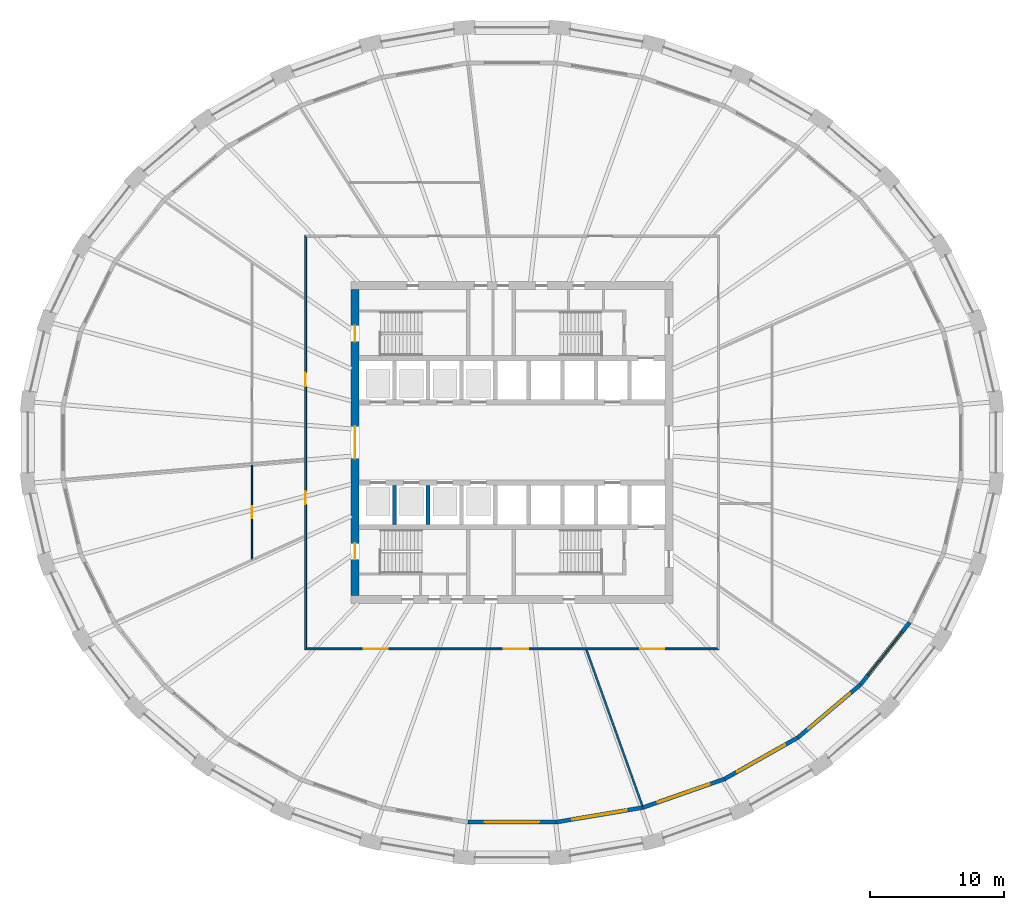
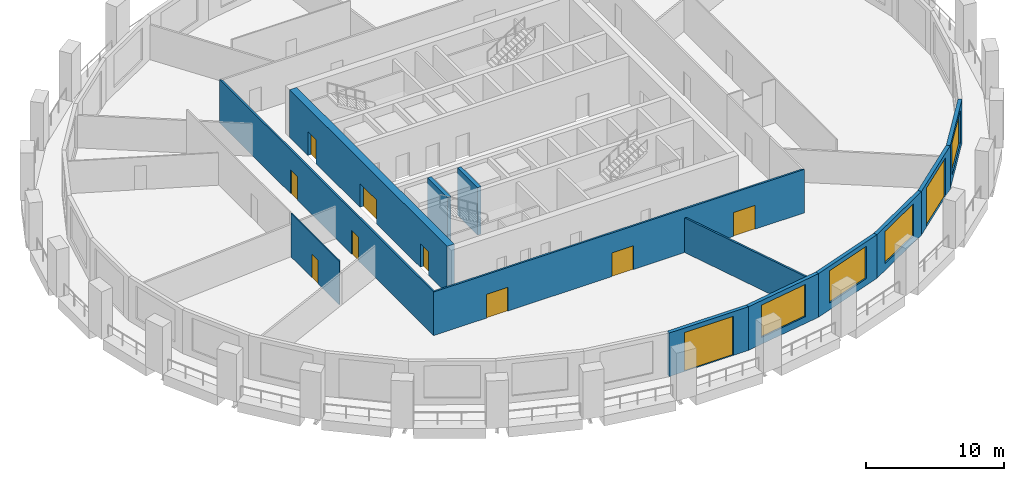
# One storey, part 3 of 10: 13 walls, 11 doors, 4 windows, 15 openings.
"""IFC4 building model written with IfcOpenShell, lengths in metres."""

from ifc_helpers import new_model, si_unit, direction, frame, frame_2d, origin, place, context, subcontext, project, spatial, polyline, rectangle, outline, extrude, material, layer, layer_set, type_object, element, fill, save


model = new_model("IFC4")

# Units and contexts
model_context = context("Model", 3, precision=1e-05, world=origin(), true_north=direction((0.0, 1.0)))
body_context = subcontext(model_context, "Body", "Model", "MODEL_VIEW")
ifc_project = project(units=[si_unit("LENGTHUNIT", "METRE"), si_unit("AREAUNIT", "SQUARE_METRE"), si_unit("VOLUMEUNIT", "CUBIC_METRE"), si_unit("PLANEANGLEUNIT", "RADIAN"), si_unit("MASSUNIT", "GRAM", prefix="KILO")], contexts=[model_context])

# Site, building, storey
site_placement = place(None, origin())
site = spatial("IfcSite", under=ifc_project, at=site_placement, CompositionType="ELEMENT")
building_placement = place(site_placement, origin())
building = spatial("IfcBuilding", under=site, at=building_placement, Name="Halqa Exchange Tower", CompositionType="ELEMENT")
storey_placement = place(building_placement, frame((0.0, 0.0, 94.89990234375)))
storey = spatial("IfcBuildingStorey", under=building, at=storey_placement, Name="L21", CompositionType="ELEMENT", Elevation=94.89990234375)

# Wall, openings, doors
ifc_material_1 = material(Name="Fire-rated gypsum board")
ifc_layer_1 = layer(ifc_material_1, 0.14990234375)
ifc_layer_set_1 = layer_set([ifc_layer_1], Name="Fire-rated gypsum board")
wall_type_1 = type_object("IfcWallType", Name="Fire partition EI 60 150", PredefinedType="PARTITIONING", material=ifc_layer_set_1)
wall_1_placement = place(storey_placement, frame((-15.39990234375, -15.47509765625, 0.0), z_axis=(0.0, 0.0, 1.0), x_axis=(0.0, 1.0, 0.0)))
wall_1 = element("IfcWall", 1, at=wall_1_placement, inside=storey, type_object=wall_type_1, Name="L21-PWL-009", PredefinedType="PARTITIONING", context=body_context, shape_type="SweptSolid", body=[
    extrude(outline(polyline([(0.150146484375, -0.074951171875), (2.065673828125, -0.074951171875), (3.9814453125, -0.074951171875), (5.89697265625, -0.074951171875), (7.8125, -0.074951171875), (9.728271484375, -0.074951171875), (11.643798828125, -0.074951171875), (13.5595703125, -0.074951171875), (15.47509765625, -0.074951171875), (17.390625, -0.074951171875), (19.306396484375, -0.074951171875), (21.221923828125, -0.074951171875), (23.1376953125, -0.074951171875), (25.05322265625, -0.074951171875), (26.96875, -0.074951171875), (28.884521484375, -0.074951171875), (30.800048828125, -0.074951171875), (30.949951171875, 0.074951171875), (29.015625, 0.074951171875), (27.081298828125, 0.074951171875), (25.14697265625, 0.074951171875), (23.21240234375, 0.074951171875), (21.278076171875, 0.074951171875), (19.34375, 0.074951171875), (17.409423828125, 0.074951171875), (15.47509765625, 0.074951171875), (13.540771484375, 0.074951171875), (11.6064453125, 0.074951171875), (9.672119140625, 0.074951171875), (7.73779296875, 0.074951171875), (5.80322265625, 0.074951171875), (3.868896484375, 0.074951171875), (1.9345703125, 0.074951171875), (0.000244140625, 0.074951171875), (0.150146484375, -0.074951171875)])), origin(), (0.0, 0.0, 1.0), 3.85009765625),
])
opening_1_placement = place(wall_1_placement, frame((19.675048828125, 0.0, 0.0)))
opening_1 = element("IfcOpeningElement", 2, at=opening_1_placement, cuts=wall_1, Name="Opening 06-07", PredefinedType="OPENING", context=body_context, shape_type="SweptSolid", body=[
    extrude(rectangle(XDim=1.0, YDim=2.10009765625, at=frame_2d((0.5, 1.050048828125))), frame((0.0, 0.0869140625, 0.0), z_axis=(0.0, -1.0, 0.0), x_axis=(1.0, 0.0, 0.0)), (0.0, 0.0, 1.0), 0.173828125),
])
opening_2_placement = place(wall_1_placement, frame((10.85498046875, 0.0, 0.0)))
opening_2 = element("IfcOpeningElement", 3, at=opening_2_placement, cuts=wall_1, Name="Opening 06-08", PredefinedType="OPENING", context=body_context, shape_type="SweptSolid", body=[
    extrude(rectangle(XDim=1.0, YDim=2.10009765625, at=frame_2d((0.5, 1.050048828125))), frame((0.0, 0.0869140625, 0.0), z_axis=(0.0, -1.0, 0.0), x_axis=(1.0, 0.0, 0.0)), (0.0, 0.0, 1.0), 0.173828125),
])
ifc_material_2 = material(Name="Steel fire door leaf", Category="steel")
door_type_1 = type_object("IfcDoorType", Name="Fire door FD30S 1000 x 2100", OperationType="SINGLE_SWING_LEFT", PredefinedType="DOOR", material=ifc_material_2)
door_1_placement = place(opening_1_placement, origin())
door_1 = element("IfcDoor", 4, at=door_1_placement, inside=storey, type_object=door_type_1, Name="L21-IDR-007", OperationType="SINGLE_SWING_LEFT", OverallHeight=2.10009765625, OverallWidth=1.0, PredefinedType="DOOR", context=body_context, shape_type="SweptSolid", body=[
    extrude(rectangle(XDim=1.0, YDim=2.10009765625, at=frame_2d((0.5, 1.050048828125))), frame((0.0, 0.02490234375, 0.0), z_axis=(0.0, -1.0, 0.0), x_axis=(1.0, 0.0, 0.0)), (0.0, 0.0, 1.0), 0.050048828125),
])
fill(opening_1, door_1)
door_2_placement = place(opening_2_placement, origin())
door_2 = element("IfcDoor", 5, at=door_2_placement, inside=storey, type_object=door_type_1, Name="L21-IDR-008", OperationType="SINGLE_SWING_RIGHT", OverallHeight=2.10009765625, OverallWidth=1.0, PredefinedType="DOOR", context=body_context, shape_type="SweptSolid", body=[
    extrude(rectangle(XDim=1.0, YDim=2.10009765625, at=frame_2d((0.5, 1.050048828125))), frame((0.0, 0.02490234375, 0.0), z_axis=(0.0, -1.0, 0.0), x_axis=(1.0, 0.0, 0.0)), (0.0, 0.0, 1.0), 0.050048828125),
])
fill(opening_2, door_2)

wall_2_placement = place(storey_placement, frame((-15.47509765625, -15.39990234375, 0.0), z_axis=(0.0, 0.0, 1.0), x_axis=(1.0, 0.0, 0.0)))
wall_2 = element("IfcWall", 6, at=wall_2_placement, inside=storey, type_object=wall_type_1, Name="L21-PWL-010", PredefinedType="PARTITIONING", context=body_context, shape_type="SweptSolid", body=[
    extrude(outline(polyline([(0.000244140625, -0.074951171875), (1.9345703125, -0.074951171875), (3.868896484375, -0.074951171875), (5.80322265625, -0.074951171875), (7.73779296875, -0.074951171875), (9.672119140625, -0.074951171875), (11.6064453125, -0.074951171875), (13.540771484375, -0.074951171875), (15.47509765625, -0.074951171875), (17.409423828125, -0.074951171875), (19.34375, -0.074951171875), (21.278076171875, -0.074951171875), (23.21240234375, -0.074951171875), (25.14697265625, -0.074951171875), (27.081298828125, -0.074951171875), (29.015625, -0.074951171875), (30.949951171875, -0.074951171875), (30.800048828125, 0.074951171875), (28.884521484375, 0.074951171875), (26.96875, 0.074951171875), (25.05322265625, 0.074951171875), (23.1376953125, 0.074951171875), (21.221923828125, 0.074951171875), (19.306396484375, 0.074951171875), (17.390625, 0.074951171875), (15.47509765625, 0.074951171875), (13.5595703125, 0.074951171875), (11.643798828125, 0.074951171875), (9.728271484375, 0.074951171875), (7.8125, 0.074951171875), (5.89697265625, 0.074951171875), (3.9814453125, 0.074951171875), (2.065673828125, 0.074951171875), (0.150146484375, 0.074951171875), (0.000244140625, -0.074951171875)])), origin(), (0.0, 0.0, 1.0), 3.85009765625),
])
opening_3_placement = place(wall_2_placement, frame((4.407470703125, 0.0, 0.0)))
opening_3 = element("IfcOpeningElement", 7, at=opening_3_placement, cuts=wall_2, Name="Opening 06-09", PredefinedType="OPENING", context=body_context, shape_type="SweptSolid", body=[
    extrude(rectangle(XDim=1.800048828125, YDim=2.10009765625, at=frame_2d((0.89990234375, 1.050048828125))), frame((0.0, 0.0869140625, 0.0), z_axis=(0.0, -1.0, 0.0), x_axis=(1.0, 0.0, 0.0)), (0.0, 0.0, 1.0), 0.173828125),
])
opening_4_placement = place(wall_2_placement, frame((14.87255859375, 0.0, 0.0)))
opening_4 = element("IfcOpeningElement", 8, at=opening_4_placement, cuts=wall_2, Name="Opening 06-10", PredefinedType="OPENING", context=body_context, shape_type="SweptSolid", body=[
    extrude(rectangle(XDim=1.800048828125, YDim=2.10009765625, at=frame_2d((0.89990234375, 1.050048828125))), frame((0.0, 0.0869140625, 0.0), z_axis=(0.0, -1.0, 0.0), x_axis=(1.0, 0.0, 0.0)), (0.0, 0.0, 1.0), 0.173828125),
])
opening_5_placement = place(wall_2_placement, frame((25.0400390625, 0.0, 0.0)))
opening_5 = element("IfcOpeningElement", 9, at=opening_5_placement, cuts=wall_2, Name="Opening 06-11", PredefinedType="OPENING", context=body_context, shape_type="SweptSolid", body=[
    extrude(rectangle(XDim=1.800048828125, YDim=2.10009765625, at=frame_2d((0.89990234375, 1.050048828125))), frame((0.0, 0.0869140625, 0.0), z_axis=(0.0, -1.0, 0.0), x_axis=(1.0, 0.0, 0.0)), (0.0, 0.0, 1.0), 0.173828125),
])
door_type_2 = type_object("IfcDoorType", Name="Fire door FD30S double 1800 x 2100", OperationType="DOUBLE_DOOR_SINGLE_SWING", PredefinedType="DOOR", material=ifc_material_2)
door_3_placement = place(opening_3_placement, frame((1.800048828125, 0.0, 0.0), z_axis=(0.0, 0.0, 1.0), x_axis=(-1.0, 0.0, 0.0)))
door_3 = element("IfcDoor", 10, at=door_3_placement, inside=storey, type_object=door_type_2, Name="L21-IDR-009", OperationType="DOUBLE_DOOR_SINGLE_SWING", OverallHeight=2.10009765625, OverallWidth=1.800048828125, PredefinedType="DOOR", context=body_context, shape_type="SweptSolid", body=[
    extrude(rectangle(XDim=1.800048828125, YDim=2.10009765625, at=frame_2d((0.89990234375, 1.050048828125))), frame((0.0, 0.02490234375, 0.0), z_axis=(0.0, -1.0, 0.0), x_axis=(1.0, 0.0, 0.0)), (0.0, 0.0, 1.0), 0.050048828125),
])
fill(opening_3, door_3)
door_4_placement = place(opening_4_placement, frame((1.800048828125, 0.0, 0.0), z_axis=(0.0, 0.0, 1.0), x_axis=(-1.0, 0.0, 0.0)))
door_4 = element("IfcDoor", 11, at=door_4_placement, inside=storey, type_object=door_type_2, Name="L21-IDR-010", OperationType="DOUBLE_DOOR_SINGLE_SWING", OverallHeight=2.10009765625, OverallWidth=1.800048828125, PredefinedType="DOOR", context=body_context, shape_type="SweptSolid", body=[
    extrude(rectangle(XDim=1.800048828125, YDim=2.10009765625, at=frame_2d((0.89990234375, 1.050048828125))), frame((0.0, 0.02490234375, 0.0), z_axis=(0.0, -1.0, 0.0), x_axis=(1.0, 0.0, 0.0)), (0.0, 0.0, 1.0), 0.050048828125),
])
fill(opening_4, door_4)
door_5_placement = place(opening_5_placement, frame((1.800048828125, 0.0, 0.0), z_axis=(0.0, 0.0, 1.0), x_axis=(-1.0, 0.0, 0.0)))
door_5 = element("IfcDoor", 12, at=door_5_placement, inside=storey, type_object=door_type_2, Name="L21-IDR-011", OperationType="DOUBLE_DOOR_SINGLE_SWING", OverallHeight=2.10009765625, OverallWidth=1.800048828125, PredefinedType="DOOR", context=body_context, shape_type="SweptSolid", body=[
    extrude(rectangle(XDim=1.800048828125, YDim=2.10009765625, at=frame_2d((0.89990234375, 1.050048828125))), frame((0.0, 0.02490234375, 0.0), z_axis=(0.0, -1.0, 0.0), x_axis=(1.0, 0.0, 0.0)), (0.0, 0.0, 1.0), 0.050048828125),
])
fill(opening_5, door_5)

# Wall
wall_3_placement = place(storey_placement, frame((5.5478515625, -15.449951171875, 0.0), z_axis=(0.0, 0.0, 1.0), x_axis=(0.337393279859, -0.941363784467, 0.0)))
element("IfcWall", 13, at=wall_3_placement, inside=storey, type_object=wall_type_1, Name="L21-PWL-014", PredefinedType="PARTITIONING", context=body_context, shape_type="SweptSolid", body=[
    extrude(outline(polyline([(0.0, -0.074951171875), (1.76416015625, -0.074951171875), (3.528076171875, -0.074951171875), (5.292236328125, -0.074951171875), (7.05615234375, -0.074951171875), (8.8203125, -0.074951171875), (10.584228515625, -0.074951171875), (12.348388671875, -0.074951171875), (12.3623046875, 0.0029296875), (12.36279296875, 0.056640625), (12.36279296875, 0.074951171875), (10.604248046875, 0.074951171875), (8.845947265625, 0.074951171875), (7.08740234375, 0.074951171875), (5.328857421875, 0.074951171875), (3.5703125, 0.074951171875), (1.81201171875, 0.074951171875), (0.053466796875, 0.074951171875), (0.0, -0.07421875), (0.0, -0.074951171875)])), origin(), (0.0, 0.0, 1.0), 3.06005859375),
])

# Wall, opening, door
ifc_material_3 = material(Name="Gypsum board")
ifc_layer_2 = layer(ifc_material_3, 0.10009765625)
ifc_layer_set_2 = layer_set([ifc_layer_2], Name="Gypsum board")
wall_type_2 = type_object("IfcWallType", Name="Partition 100 gypsum", PredefinedType="PARTITIONING", material=ifc_layer_set_2)
wall_4_placement = place(storey_placement, frame((-19.39990234375, -8.7099609375, 0.0), z_axis=(0.0, 0.0, 1.0), x_axis=(0.0, 1.0, 0.0)))
wall_4 = element("IfcWall", 14, at=wall_4_placement, inside=storey, type_object=wall_type_2, Name="L21-PWL-005", PredefinedType="PARTITIONING", context=body_context, shape_type="SweptSolid", body=[
    extrude(outline(polyline([(0.04052734375, -0.050048828125), (0.041259765625, -0.050048828125), (0.04443359375, -0.048583984375), (0.044921875, -0.050048828125), (1.7900390625, -0.050048828125), (3.534912109375, -0.050048828125), (5.280029296875, -0.050048828125), (7.02490234375, -0.050048828125), (7.02490234375, -0.0439453125), (7.01708984375, 0.050048828125), (5.2626953125, 0.050048828125), (3.508544921875, 0.050048828125), (1.754150390625, 0.050048828125), (0.0, 0.050048828125), (0.0, 0.04931640625), (0.044189453125, -0.04833984375), (0.04052734375, -0.050048828125)])), origin(), (0.0, 0.0, 1.0), 3.85009765625),
])
opening_6_placement = place(wall_4_placement, frame((3.074951171875, 0.0, 0.0)))
opening_6 = element("IfcOpeningElement", 15, at=opening_6_placement, cuts=wall_4, Name="Opening 06-16", PredefinedType="OPENING", context=body_context, shape_type="SweptSolid", body=[
    extrude(rectangle(XDim=0.89990234375, YDim=2.10009765625, at=frame_2d((0.449951171875, 1.050048828125))), frame((0.0, 0.06201171875, 0.0), z_axis=(0.0, -1.0, 0.0), x_axis=(1.0, 0.0, 0.0)), (0.0, 0.0, 1.0), 0.1240234375),
])
ifc_material_4 = material(Name="Timber door leaf", Category="wood")
door_type_3 = type_object("IfcDoorType", Name="Door 900 x 2100", OperationType="SINGLE_SWING_LEFT", PredefinedType="DOOR", material=ifc_material_4)
door_6_placement = place(opening_6_placement, frame((0.89990234375, 0.0, 0.0), z_axis=(0.0, 0.0, 1.0), x_axis=(-1.0, 0.0, 0.0)))
door_6 = element("IfcDoor", 16, at=door_6_placement, inside=storey, type_object=door_type_3, Name="L21-IDR-016", OperationType="SINGLE_SWING_LEFT", OverallHeight=2.10009765625, OverallWidth=0.89990234375, PredefinedType="DOOR", context=body_context, shape_type="SweptSolid", body=[
    extrude(rectangle(XDim=0.89990234375, YDim=2.10009765625, at=frame_2d((0.449951171875, 1.050048828125))), frame((0.0, 0.02490234375, 0.0), z_axis=(0.0, -1.0, 0.0), x_axis=(1.0, 0.0, 0.0)), (0.0, 0.0, 1.0), 0.050048828125),
])
fill(opening_6, door_6)

# Walls
ifc_material_5 = material(Name="Concrete C60/75", Category="concrete")
ifc_layer_3 = layer(ifc_material_5, 0.300048828125)
ifc_layer_set_3 = layer_set([ifc_layer_3], Name="Concrete C60/75")
wall_type_3 = type_object("IfcWallType", Name="RC core wall 300", PredefinedType="SHEAR", material=ifc_layer_set_3)
for number, where, z_axis, x_axis, name in (
    (17, (-8.75, -6.10009765625, 0.0), (0.0, 0.0, 1.0), (0.0, 1.0, 0.0), "Shaft divider S1"),
    (18, (-6.25, -6.10009765625, 0.0), (0.0, 0.0, 1.0), (0.0, 1.0, 0.0), "Shaft divider S2"),
):
    element("IfcWall", number, at=place(storey_placement, frame(where, z_axis=z_axis, x_axis=x_axis)), inside=storey, type_object=wall_type_3, Name=name, PredefinedType="SHEAR", context=body_context, shape_type="SweptSolid", body=[
        extrude(rectangle(XDim=2.900146484375, YDim=0.300048828125, at=frame_2d((1.4501953125, 0.0))), origin(), (0.0, 0.0, 1.0), 4.2001953125),
    ])

# Wall, openings, doors
ifc_material_6 = material(Name="Concrete C80/95", Category="concrete")
ifc_layer_4 = layer(ifc_material_6, 0.60009765625)
ifc_layer_set_4 = layer_set([ifc_layer_4], Name="Concrete C80/95")
wall_type_4 = type_object("IfcWallType", Name="RC core wall 600 C80/95", PredefinedType="SHEAR", material=ifc_layer_set_4)
wall_5_placement = place(storey_placement, frame((-11.699951171875, -11.39990234375, 0.0), z_axis=(0.0, 0.0, 1.0), x_axis=(0.0, 1.0, 0.0)))
wall_5 = element("IfcWall", 19, at=wall_5_placement, inside=storey, type_object=wall_type_4, Name="Core wall west", PredefinedType="SHEAR", context=body_context, shape_type="SweptSolid", body=[
    extrude(rectangle(XDim=22.7998046875, YDim=0.60009765625, at=frame_2d((11.39990234375, 0.0))), origin(), (0.0, 0.0, 1.0), 4.2001953125),
])
opening_7_placement = place(wall_5_placement, frame((10.199951171875, 0.0, 0.0)))
opening_7 = element("IfcOpeningElement", 20, at=opening_7_placement, cuts=wall_5, Name="Opening T06-C13", PredefinedType="OPENING", context=body_context, shape_type="SweptSolid", body=[
    extrude(rectangle(XDim=2.39990234375, YDim=2.10009765625, at=frame_2d((1.199951171875, 1.050048828125))), frame((0.0, 0.31201171875, 0.0), z_axis=(0.0, -1.0, 0.0), x_axis=(1.0, 0.0, 0.0)), (0.0, 0.0, 1.0), 0.6240234375),
])
opening_8_placement = place(wall_5_placement, frame((18.925048828125, 0.0, 0.0)))
opening_8 = element("IfcOpeningElement", 21, at=opening_8_placement, cuts=wall_5, Name="Opening T06-C15", PredefinedType="OPENING", context=body_context, shape_type="SweptSolid", body=[
    extrude(rectangle(XDim=1.199951171875, YDim=2.10009765625, at=frame_2d((0.60009765625, 1.050048828125))), frame((0.0, 0.31201171875, 0.0), z_axis=(0.0, -1.0, 0.0), x_axis=(1.0, 0.0, 0.0)), (0.0, 0.0, 1.0), 0.6240234375),
])
opening_9_placement = place(wall_5_placement, frame((2.675048828125, 0.0, 0.0)))
opening_9 = element("IfcOpeningElement", 22, at=opening_9_placement, cuts=wall_5, Name="Opening T06-C17", PredefinedType="OPENING", context=body_context, shape_type="SweptSolid", body=[
    extrude(rectangle(XDim=1.199951171875, YDim=2.10009765625, at=frame_2d((0.60009765625, 1.050048828125))), frame((0.0, 0.31201171875, 0.0), z_axis=(0.0, -1.0, 0.0), x_axis=(1.0, 0.0, 0.0)), (0.0, 0.0, 1.0), 0.6240234375),
])
door_type_4 = type_object("IfcDoorType", Name="Lobby double door FD60 2400 x 2100", OperationType="DOUBLE_DOOR_SINGLE_SWING", PredefinedType="DOOR", material=ifc_material_2)
door_7_placement = place(opening_7_placement, frame((2.39990234375, 0.0, 0.0), z_axis=(0.0, 0.0, 1.0), x_axis=(-1.0, 0.0, 0.0)))
door_7 = element("IfcDoor", 23, at=door_7_placement, inside=storey, type_object=door_type_4, Name="Lift lobby double door", OperationType="DOUBLE_DOOR_SINGLE_SWING", OverallHeight=2.10009765625, OverallWidth=2.39990234375, PredefinedType="DOOR", context=body_context, shape_type="SweptSolid", body=[
    extrude(rectangle(XDim=2.39990234375, YDim=2.10009765625, at=frame_2d((1.199951171875, 1.050048828125))), frame((0.0, 0.02490234375, 0.0), z_axis=(0.0, -1.0, 0.0), x_axis=(1.0, 0.0, 0.0)), (0.0, 0.0, 1.0), 0.050048828125),
])
fill(opening_7, door_7)
door_type_5 = type_object("IfcDoorType", Name="Stair door FD90 1200 x 2100", OperationType="SINGLE_SWING_LEFT", PredefinedType="DOOR", material=ifc_material_2)
door_8_placement = place(opening_8_placement, frame((1.199951171875, 0.0, 0.0), z_axis=(0.0, 0.0, 1.0), x_axis=(-1.0, 0.0, 0.0)))
door_8 = element("IfcDoor", 24, at=door_8_placement, inside=storey, type_object=door_type_5, Name="Stair door ST1", OperationType="SINGLE_SWING_LEFT", OverallHeight=2.10009765625, OverallWidth=1.199951171875, PredefinedType="DOOR", context=body_context, shape_type="SweptSolid", body=[
    extrude(rectangle(XDim=1.199951171875, YDim=2.10009765625, at=frame_2d((0.60009765625, 1.050048828125))), frame((0.0, 0.02490234375, 0.0), z_axis=(0.0, -1.0, 0.0), x_axis=(1.0, 0.0, 0.0)), (0.0, 0.0, 1.0), 0.050048828125),
])
fill(opening_8, door_8)
door_9_placement = place(opening_9_placement, frame((1.199951171875, 0.0, 0.0), z_axis=(0.0, 0.0, 1.0), x_axis=(-1.0, 0.0, 0.0)))
door_9 = element("IfcDoor", 25, at=door_9_placement, inside=storey, type_object=door_type_5, Name="Stair door ST3", OperationType="SINGLE_SWING_LEFT", OverallHeight=2.10009765625, OverallWidth=1.199951171875, PredefinedType="DOOR", context=body_context, shape_type="SweptSolid", body=[
    extrude(rectangle(XDim=1.199951171875, YDim=2.10009765625, at=frame_2d((0.60009765625, 1.050048828125))), frame((0.0, 0.02490234375, 0.0), z_axis=(0.0, -1.0, 0.0), x_axis=(1.0, 0.0, 0.0)), (0.0, 0.0, 1.0), 0.050048828125),
])
fill(opening_9, door_9)

# Wall, opening, door
ifc_material_7 = material(Name="Limestone cladding", Category="masonry")
ifc_layer_5 = layer(ifc_material_7, 0.0400390625)
ifc_material_8 = material(Name="Ventilated cavity")
ifc_layer_6 = layer(ifc_material_8, 0.030029296875, ventilated=True)
ifc_material_9 = material(Name="Mineral wool insulation")
ifc_layer_7 = layer(ifc_material_9, 0.10009765625)
ifc_material_10 = material(Name="Concrete C30/37", Category="concrete")
ifc_layer_8 = layer(ifc_material_10, 0.10009765625)
ifc_material_11 = material(Name="Internal plaster")
ifc_layer_9 = layer(ifc_material_11, 0.030029296875)
ifc_layer_set_5 = layer_set([ifc_layer_5, ifc_layer_6, ifc_layer_7, ifc_layer_8, ifc_layer_9], Name="Stone-faced insulated wall 300")
wall_type_5 = type_object("IfcWallType", Name="Stone-faced insulated wall 300", PredefinedType="STANDARD", material=ifc_layer_set_5)
wall_6_placement = place(storey_placement, frame((-3.294921875, -28.319091796875, 0.0), z_axis=(0.0, 0.0, 1.0), x_axis=(1.0, 0.0, 0.0)))
wall_6 = element("IfcWall", 26, at=wall_6_placement, inside=storey, type_object=wall_type_5, Name="Glass-line wall 24", PredefinedType="STANDARD", context=body_context, shape_type="SweptSolid", body=[
    extrude(outline(polyline([(-0.012451171875, -0.14990234375), (6.602294921875, -0.14990234375), (6.577392578125, 0.14990234375), (0.012451171875, 0.14990234375), (-0.012451171875, -0.14990234375)])), origin(), (0.0, 0.0, 1.0), 3.85009765625),
])
opening_10_placement = place(wall_6_placement, frame((1.2451171875, 0.0, 0.0)))
opening_10 = element("IfcOpeningElement", 27, at=opening_10_placement, cuts=wall_6, Name="Opening LG-F1-06", PredefinedType="OPENING", context=body_context, shape_type="SweptSolid", body=[
    extrude(rectangle(XDim=4.10009765625, YDim=3.449951171875, at=frame_2d((2.050048828125, 1.72509765625))), frame((0.0, 0.162109375, 0.0), z_axis=(0.0, -1.0, 0.0), x_axis=(1.0, 0.0, 0.0)), (0.0, 0.0, 1.0), 0.323974609375),
])
ifc_material_12 = material(Name="Clear low-emissivity glass in aluminium frame", Category="aluminium")
door_type_6 = type_object("IfcDoorType", Name="Glazed sliding loggia door 4100 x 3450", OperationType="DOUBLE_DOOR_SLIDING", PredefinedType="DOOR", material=ifc_material_12)
door_10_placement = place(opening_10_placement, origin())
door_10 = element("IfcDoor", 28, at=door_10_placement, inside=storey, type_object=door_type_6, Name="Loggia door 6", OperationType="DOUBLE_DOOR_SLIDING", OverallHeight=3.449951171875, OverallWidth=4.10009765625, PredefinedType="DOOR", context=body_context, shape_type="SweptSolid", body=[
    extrude(rectangle(XDim=4.10009765625, YDim=3.449951171875, at=frame_2d((2.050048828125, 1.72509765625))), frame((0.0, 0.02490234375, 0.0), z_axis=(0.0, -1.0, 0.0), x_axis=(1.0, 0.0, 0.0)), (0.0, 0.0, 1.0), 0.050048828125),
])
fill(opening_10, door_10)

# Wall, opening, window
wall_7_placement = place(storey_placement, frame((3.294921875, -28.319091796875, 0.0), z_axis=(0.0, 0.0, 1.0), x_axis=(0.986162431544, 0.165781961053, 0.0)))
wall_7 = element("IfcWall", 29, at=wall_7_placement, inside=storey, type_object=wall_type_5, Name="Glass-line wall 25", PredefinedType="STANDARD", context=body_context, shape_type="SweptSolid", body=[
    extrude(outline(polyline([(-0.012451171875, -0.14990234375), (6.567626953125, -0.14990234375), (6.542236328125, 0.14990234375), (0.012451171875, 0.14990234375), (-0.012451171875, -0.14990234375)])), origin(), (0.0, 0.0, 1.0), 3.85009765625),
])
opening_11_placement = place(wall_7_placement, frame((1.227294921875, 0.0, 0.60009765625)))
opening_11 = element("IfcOpeningElement", 30, at=opening_11_placement, cuts=wall_7, Name="Opening W-F1-25", PredefinedType="OPENING", context=body_context, shape_type="SweptSolid", body=[
    extrude(rectangle(XDim=4.10009765625, YDim=2.85009765625, at=frame_2d((2.050048828125, 1.425048828125))), frame((0.0, 0.162109375, 0.0), z_axis=(0.0, -1.0, 0.0), x_axis=(1.0, 0.0, 0.0)), (0.0, 0.0, 1.0), 0.323974609375),
])
window_type = type_object("IfcWindowType", Name="Fixed clear glazed window 4100 x 2850", PartitioningType="TRIPLE_PANEL_VERTICAL", PredefinedType="WINDOW", material=ifc_material_12)
window_1_placement = place(opening_11_placement, origin())
window_1 = element("IfcWindow", 31, at=window_1_placement, inside=storey, type_object=window_type, Name="Window 1", OverallHeight=2.85009765625, OverallWidth=4.10009765625, PartitioningType="TRIPLE_PANEL_VERTICAL", PredefinedType="WINDOW", context=body_context, shape_type="SweptSolid", body=[
    extrude(rectangle(XDim=4.10009765625, YDim=2.85009765625, at=frame_2d((2.050048828125, 1.425048828125))), frame((0.0, 0.030029296875, 0.0), z_axis=(0.0, -1.0, 0.0), x_axis=(1.0, 0.0, 0.0)), (0.0, 0.0, 1.0), 0.06005859375),
])
fill(opening_11, window_1)

wall_8_placement = place(storey_placement, frame((9.759033203125, -27.232421875, 0.0), z_axis=(0.0, 0.0, 1.0), x_axis=(0.943820008365, 0.330459970057, 0.0)))
wall_8 = element("IfcWall", 32, at=wall_8_placement, inside=storey, type_object=wall_type_5, Name="Glass-line wall 26", PredefinedType="STANDARD", context=body_context, shape_type="SweptSolid", body=[
    extrude(outline(polyline([(-0.0126953125, -0.14990234375), (6.466064453125, -0.14990234375), (6.439208984375, 0.14990234375), (0.0126953125, 0.14990234375), (-0.0126953125, -0.14990234375)])), origin(), (0.0, 0.0, 1.0), 3.85009765625),
])
opening_12_placement = place(wall_8_placement, frame((1.17626953125, 0.0, 0.60009765625)))
opening_12 = element("IfcOpeningElement", 33, at=opening_12_placement, cuts=wall_8, Name="Opening W-F1-26", PredefinedType="OPENING", context=body_context, shape_type="SweptSolid", body=[
    extrude(rectangle(XDim=4.10009765625, YDim=2.85009765625, at=frame_2d((2.050048828125, 1.425048828125))), frame((0.0, 0.162109375, 0.0), z_axis=(0.0, -1.0, 0.0), x_axis=(1.0, 0.0, 0.0)), (0.0, 0.0, 1.0), 0.323974609375),
])
window_2_placement = place(opening_12_placement, origin())
window_2 = element("IfcWindow", 34, at=window_2_placement, inside=storey, type_object=window_type, Name="Window 1", OverallHeight=2.85009765625, OverallWidth=4.10009765625, PartitioningType="TRIPLE_PANEL_VERTICAL", PredefinedType="WINDOW", context=body_context, shape_type="SweptSolid", body=[
    extrude(rectangle(XDim=4.10009765625, YDim=2.85009765625, at=frame_2d((2.050048828125, 1.425048828125))), frame((0.0, 0.030029296875, 0.0), z_axis=(0.0, -1.0, 0.0), x_axis=(1.0, 0.0, 0.0)), (0.0, 0.0, 1.0), 0.06005859375),
])
fill(opening_12, window_2)

wall_9_placement = place(storey_placement, frame((15.84912109375, -25.10009765625, 0.0), z_axis=(0.0, 0.0, 1.0), x_axis=(0.870737550302, 0.491748023376, 0.0)))
wall_9 = element("IfcWall", 35, at=wall_9_placement, inside=storey, type_object=wall_type_5, Name="Glass-line wall 27", PredefinedType="STANDARD", context=body_context, shape_type="SweptSolid", body=[
    extrude(outline(polyline([(-0.013427734375, -0.14990234375), (6.310546875, -0.14990234375), (6.2822265625, 0.14990234375), (0.013427734375, 0.14990234375), (-0.013427734375, -0.14990234375)])), origin(), (0.0, 0.0, 1.0), 3.85009765625),
])
opening_13_placement = place(wall_9_placement, frame((1.09814453125, 0.0, 0.60009765625)))
opening_13 = element("IfcOpeningElement", 36, at=opening_13_placement, cuts=wall_9, Name="Opening W-F1-27", PredefinedType="OPENING", context=body_context, shape_type="SweptSolid", body=[
    extrude(rectangle(XDim=4.10009765625, YDim=2.85009765625, at=frame_2d((2.050048828125, 1.425048828125))), frame((0.0, 0.162109375, 0.0), z_axis=(0.0, -1.0, 0.0), x_axis=(1.0, 0.0, 0.0)), (0.0, 0.0, 1.0), 0.323974609375),
])
window_3_placement = place(opening_13_placement, origin())
window_3 = element("IfcWindow", 37, at=window_3_placement, inside=storey, type_object=window_type, Name="Window 1", OverallHeight=2.85009765625, OverallWidth=4.10009765625, PartitioningType="TRIPLE_PANEL_VERTICAL", PredefinedType="WINDOW", context=body_context, shape_type="SweptSolid", body=[
    extrude(rectangle(XDim=4.10009765625, YDim=2.85009765625, at=frame_2d((2.050048828125, 1.425048828125))), frame((0.0, 0.030029296875, 0.0), z_axis=(0.0, -1.0, 0.0), x_axis=(1.0, 0.0, 0.0)), (0.0, 0.0, 1.0), 0.06005859375),
])
fill(opening_13, window_3)

# Wall, opening, door
wall_10_placement = place(storey_placement, frame((21.33154296875, -22.00390625, 0.0), z_axis=(0.0, 0.0, 1.0), x_axis=(0.763753100684, 0.645508482667, 0.0)))
wall_10 = element("IfcWall", 38, at=wall_10_placement, inside=storey, type_object=wall_type_5, Name="Glass-line wall 28", PredefinedType="STANDARD", context=body_context, shape_type="SweptSolid", body=[
    extrude(outline(polyline([(-0.01416015625, -0.14990234375), (6.12255859375, -0.14990234375), (6.09228515625, 0.14990234375), (0.01416015625, 0.14990234375), (-0.01416015625, -0.14990234375)])), origin(), (0.0, 0.0, 1.0), 3.85009765625),
])
opening_14_placement = place(wall_10_placement, frame((1.003662109375, 0.0, 0.0)))
opening_14 = element("IfcOpeningElement", 39, at=opening_14_placement, cuts=wall_10, Name="Opening LG-F1-07", PredefinedType="OPENING", context=body_context, shape_type="SweptSolid", body=[
    extrude(rectangle(XDim=4.10009765625, YDim=3.449951171875, at=frame_2d((2.050048828125, 1.72509765625))), frame((0.0, 0.162109375, 0.0), z_axis=(0.0, -1.0, 0.0), x_axis=(1.0, 0.0, 0.0)), (0.0, 0.0, 1.0), 0.323974609375),
])
door_11_placement = place(opening_14_placement, origin())
door_11 = element("IfcDoor", 40, at=door_11_placement, inside=storey, type_object=door_type_6, Name="Loggia door 7", OperationType="DOUBLE_DOOR_SLIDING", OverallHeight=3.449951171875, OverallWidth=4.10009765625, PredefinedType="DOOR", context=body_context, shape_type="SweptSolid", body=[
    extrude(rectangle(XDim=4.10009765625, YDim=3.449951171875, at=frame_2d((2.050048828125, 1.72509765625))), frame((0.0, 0.02490234375, 0.0), z_axis=(0.0, -1.0, 0.0), x_axis=(1.0, 0.0, 0.0)), (0.0, 0.0, 1.0), 0.050048828125),
])
fill(opening_14, door_11)

# Wall, opening, window
wall_11_placement = place(storey_placement, frame((25.99609375, -18.0615234375, 0.0), z_axis=(0.0, 0.0, 1.0), x_axis=(0.620142219764, 0.784489405452, 0.0)))
wall_11 = element("IfcWall", 41, at=wall_11_placement, inside=storey, type_object=wall_type_5, Name="Glass-line wall 29", PredefinedType="STANDARD", context=body_context, shape_type="SweptSolid", body=[
    extrude(outline(polyline([(-0.01513671875, -0.14990234375), (5.928466796875, -0.14990234375), (5.896240234375, 0.14990234375), (0.01513671875, 0.14990234375), (-0.01513671875, -0.14990234375)])), origin(), (0.0, 0.0, 1.0), 3.85009765625),
])
opening_15_placement = place(wall_11_placement, frame((0.90625, 0.0, 0.60009765625)))
opening_15 = element("IfcOpeningElement", 42, at=opening_15_placement, cuts=wall_11, Name="Opening W-F1-29", PredefinedType="OPENING", context=body_context, shape_type="SweptSolid", body=[
    extrude(rectangle(XDim=4.10009765625, YDim=2.85009765625, at=frame_2d((2.050048828125, 1.425048828125))), frame((0.0, 0.162109375, 0.0), z_axis=(0.0, -1.0, 0.0), x_axis=(1.0, 0.0, 0.0)), (0.0, 0.0, 1.0), 0.323974609375),
])
window_4_placement = place(opening_15_placement, origin())
window_4 = element("IfcWindow", 43, at=window_4_placement, inside=storey, type_object=window_type, Name="Window 1", OverallHeight=2.85009765625, OverallWidth=4.10009765625, PartitioningType="TRIPLE_PANEL_VERTICAL", PredefinedType="WINDOW", context=body_context, shape_type="SweptSolid", body=[
    extrude(rectangle(XDim=4.10009765625, YDim=2.85009765625, at=frame_2d((2.050048828125, 1.425048828125))), frame((0.0, 0.030029296875, 0.0), z_axis=(0.0, -1.0, 0.0), x_axis=(1.0, 0.0, 0.0)), (0.0, 0.0, 1.0), 0.06005859375),
])
fill(opening_15, window_4)

save(model, "model.ifc")
